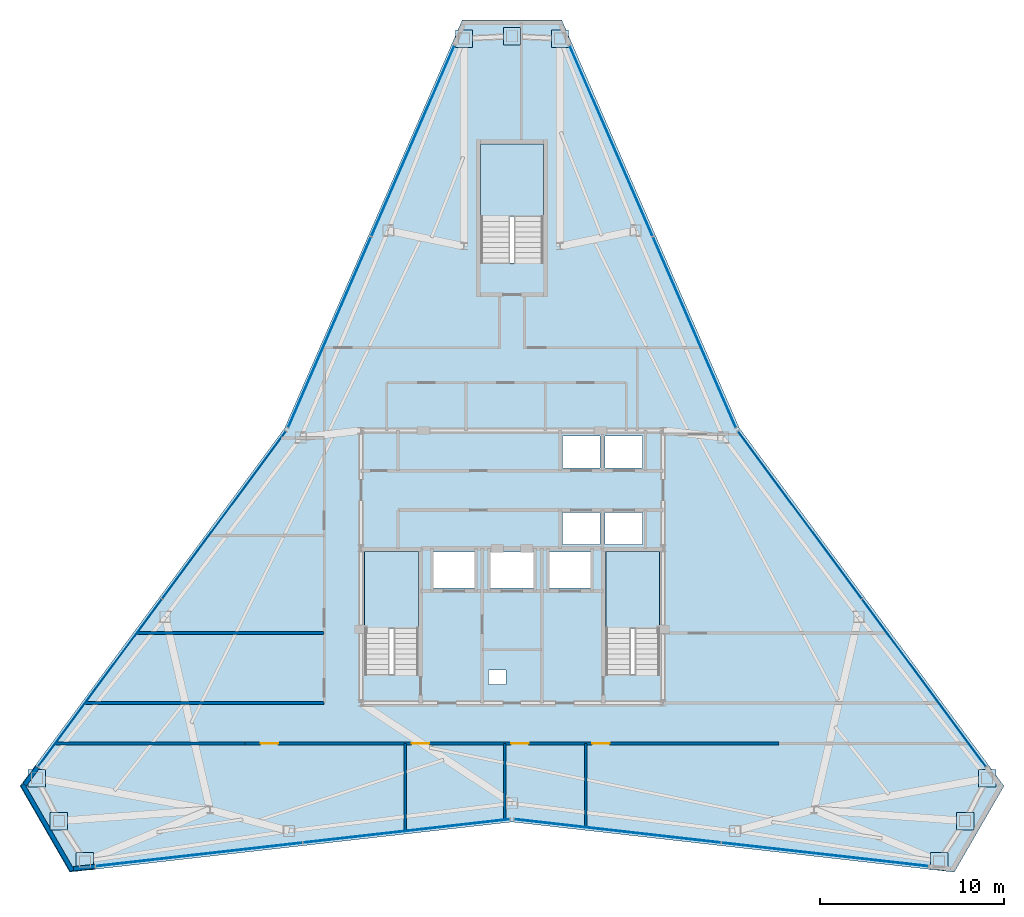
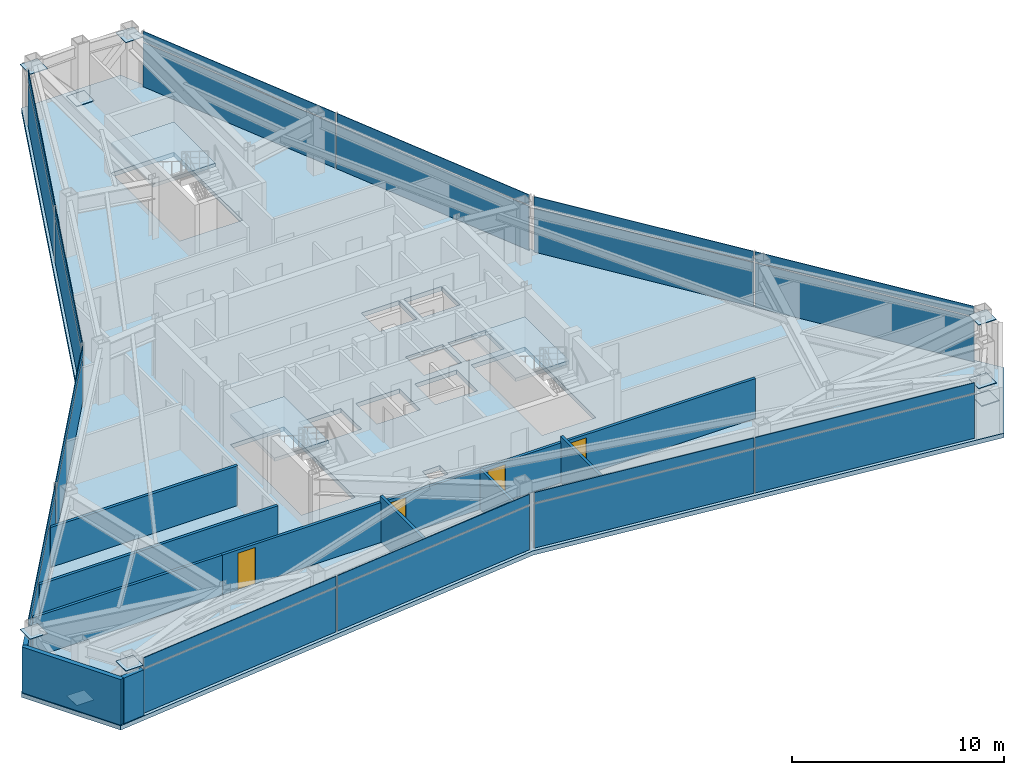
# One storey, part 8 of 11: 33 plates, 10 walls, 4 doors, 4 slabs, 4 openings, 9 elements without a shape of their own.
"""IFC4 building model written with IfcOpenShell, lengths in metres."""

from ifc_helpers import new_model, si_unit, direction, frame, frame_2d, origin, origin_2d, place, context, subcontext, project, spatial, polyline, rectangle, outline, extrude, source, transform, mapped, material, layer, layer_set, type_object, type_shapes, element, fill, aggregate, save


model = new_model("IFC4")

# Units and contexts
model_context = context("Model", 3, precision=1e-05, world=origin(), true_north=direction((0.0, 1.0)))
body_context = subcontext(model_context, "Body", "Model", "MODEL_VIEW")
ifc_project = project(units=[si_unit("LENGTHUNIT", "METRE"), si_unit("AREAUNIT", "SQUARE_METRE"), si_unit("VOLUMEUNIT", "CUBIC_METRE"), si_unit("PLANEANGLEUNIT", "RADIAN"), si_unit("MASSUNIT", "GRAM", prefix="KILO")], contexts=[model_context])

# Site, building, storey
site_placement = place(None, origin())
site = spatial("IfcSite", under=ifc_project, at=site_placement, CompositionType="ELEMENT")
building_placement = place(site_placement, origin())
building = spatial("IfcBuilding", under=site, at=building_placement, Name="Varakhsha Concourse Tower", CompositionType="ELEMENT")
storey_placement = place(building_placement, frame((0.0, 0.0, 279.5)))
storey = spatial("IfcBuildingStorey", under=building, at=storey_placement, Name="L79", CompositionType="ELEMENT", Elevation=279.5)

# Slab
ifc_material_1 = material(Name="Concrete fc 45 MPa", Category="concrete")
ifc_layer_1 = layer(ifc_material_1, 0.25, Name="SL-FLR-250")
ifc_layer_set_1 = layer_set([ifc_layer_1], Name="Concrete fc 45 MPa")
slab_type_1 = type_object("IfcSlabType", Name="SL-FLR-250", PredefinedType="FLOOR", material=ifc_layer_set_1)
slab_1_placement = place(storey_placement, frame((0.0, 0.0, -0.25)))
element("IfcSlab", 1, at=slab_1_placement, inside=storey, type_object=slab_type_1, Name="L79 Composite Structural Slab", PredefinedType="FLOOR", context=body_context, shape_type="SweptSolid", body=[
    extrude(outline(polyline([(42.699951171875, 53.496826171875), (37.300048828125, 53.496826171875), (27.651611328125, 31.329345703125), (13.2783203125, 11.889892578125), (15.978271484375, 7.21337890625), (40.0, 9.94140625), (64.021728515625, 7.21337890625), (66.7216796875, 11.889892578125), (52.348388671875, 31.329345703125), (42.699951171875, 53.496826171875)]), holes=[polyline([(34.919921875, 17.93994140625), (34.919921875, 24.6298828125), (32.0, 24.6298828125), (32.0, 17.93994140625), (34.919921875, 17.93994140625)]), polyline([(48.02001953125, 17.93994140625), (48.02001953125, 24.6298828125), (45.10009765625, 24.6298828125), (45.10009765625, 17.93994140625), (48.02001953125, 17.93994140625)]), polyline([(41.699951171875, 40.300048828125), (41.699951171875, 46.75), (38.300048828125, 46.75), (38.300048828125, 40.300048828125), (41.699951171875, 40.300048828125)]), polyline([(42.739990234375, 29.159912109375), (44.780029296875, 29.159912109375), (44.780029296875, 30.89990234375), (42.739990234375, 30.89990234375), (42.739990234375, 29.159912109375)]), polyline([(45.06005859375, 29.159912109375), (47.10009765625, 29.159912109375), (47.10009765625, 30.89990234375), (45.06005859375, 30.89990234375), (45.06005859375, 29.159912109375)]), polyline([(42.739990234375, 25.0), (44.780029296875, 25.0), (44.780029296875, 26.739990234375), (42.739990234375, 26.739990234375), (42.739990234375, 25.0)]), polyline([(45.06005859375, 25.0), (47.10009765625, 25.0), (47.10009765625, 26.739990234375), (45.06005859375, 26.739990234375), (45.06005859375, 25.0)]), polyline([(35.7099609375, 22.639892578125), (37.989990234375, 22.639892578125), (37.989990234375, 24.60009765625), (35.7099609375, 24.60009765625), (35.7099609375, 22.639892578125)]), polyline([(42.010009765625, 22.639892578125), (44.2900390625, 22.639892578125), (44.2900390625, 24.60009765625), (42.010009765625, 24.60009765625), (42.010009765625, 22.639892578125)]), polyline([(38.81005859375, 22.639892578125), (41.18994140625, 22.639892578125), (41.18994140625, 24.60009765625), (38.81005859375, 24.60009765625), (38.81005859375, 22.639892578125)]), polyline([(38.719970703125, 17.39990234375), (39.679931640625, 17.39990234375), (39.679931640625, 18.199951171875), (38.719970703125, 18.199951171875), (38.719970703125, 17.39990234375)])]), origin(), (0.0, 0.0, 1.0), 0.25),
])

# Stair, slab
stair_type_1 = type_object("IfcStairType", Name="ST-DOGLEG-1360", PredefinedType="HALF_TURN_STAIR", material=ifc_material_1)
stair_1_placement = place(storey_placement, origin())
stair_1 = element("IfcStair", 2, at=stair_1_placement, inside=storey, type_object=stair_type_1, Name="L79 Protected Exit Stair ST1", PredefinedType="HALF_TURN_STAIR")
ifc_layer_2 = layer(ifc_material_1, 0.199951171875, Name="SL-LAND-200")
ifc_layer_set_2 = layer_set([ifc_layer_2], Name="Concrete fc 45 MPa")
slab_type_2 = type_object("IfcSlabType", Name="SL-LAND-200", PredefinedType="LANDING", material=ifc_layer_set_2)
slab_2_placement = place(storey_placement, frame((0.0, 0.0, 1.550048828125)))
slab_2 = element("IfcSlab", 3, at=slab_2_placement, type_object=slab_type_2, Name="ST1 landing 1", PredefinedType="LANDING", context=body_context, shape_type="SweptSolid", body=[
    extrude(outline(polyline([(34.919921875, 20.4599609375), (34.919921875, 24.6298828125), (32.0, 24.6298828125), (32.0, 20.4599609375), (34.919921875, 20.4599609375)])), origin(), (0.0, 0.0, 1.0), 0.199951171875),
])
aggregate(stair_1, [slab_2])

stair_2_placement = place(storey_placement, origin())
stair_2 = element("IfcStair", 4, at=stair_2_placement, inside=storey, type_object=stair_type_1, Name="L79 Protected Exit Stair ST2", PredefinedType="HALF_TURN_STAIR")
slab_3_placement = place(storey_placement, frame((0.0, 0.0, 1.550048828125)))
slab_3 = element("IfcSlab", 5, at=slab_3_placement, type_object=slab_type_2, Name="ST2 landing 1", PredefinedType="LANDING", context=body_context, shape_type="SweptSolid", body=[
    extrude(outline(polyline([(48.02001953125, 20.4599609375), (48.02001953125, 24.6298828125), (45.10009765625, 24.6298828125), (45.10009765625, 20.4599609375), (48.02001953125, 20.4599609375)])), origin(), (0.0, 0.0, 1.0), 0.199951171875),
])
aggregate(stair_2, [slab_3])

stair_type_2 = type_object("IfcStairType", Name="ST-DOGLEG-1600", PredefinedType="HALF_TURN_STAIR", material=ifc_material_1)
stair_3_placement = place(storey_placement, origin())
stair_3 = element("IfcStair", 6, at=stair_3_placement, inside=storey, type_object=stair_type_2, Name="L79 Protected Exit Stair ST5", PredefinedType="HALF_TURN_STAIR")
slab_4_placement = place(storey_placement, frame((0.0, 0.0, 1.550048828125)))
slab_4 = element("IfcSlab", 7, at=slab_4_placement, type_object=slab_type_2, Name="ST5 landing 1", PredefinedType="LANDING", context=body_context, shape_type="SweptSolid", body=[
    extrude(outline(polyline([(41.699951171875, 42.820068359375), (41.699951171875, 46.75), (38.300048828125, 46.75), (38.300048828125, 42.820068359375), (41.699951171875, 42.820068359375)])), origin(), (0.0, 0.0, 1.0), 0.199951171875),
])
aggregate(stair_3, [slab_4])

# Plates
ifc_material_2 = material(Name="Structural Steel ASTM A572 Grade 50", Category="steel")
ifc_layer_3 = layer(ifc_material_2, 0.030029296875, Name="PL-ENDCAP-950")
ifc_layer_set_3 = layer_set([ifc_layer_3], Name="Structural Steel ASTM A572 Grade 50")
plate_type_1 = type_object("IfcPlateType", Name="PL-ENDCAP-950", PredefinedType="USERDEFINED", material=ifc_layer_set_3)
shared_shape_1 = source(origin(), body_context, "Body", "SweptSolid", [
    extrude(rectangle(XDim=0.949951171875, YDim=0.949951171875, at=origin_2d()), origin(), (0.0, 0.0, 1.0), 0.030029296875),
])
type_shapes(plate_type_1, [shared_shape_1])
for number, where, z_axis, x_axis, name in (
    (8, (40.0, 52.61669921875, 0.10498046875), (0.0, 0.0, 1.0), (1.0, 0.0, 0.0), "Hollow Section End Cap GP-NODE-L79-0838"),
    (9, (42.607177734375, 52.489013671875, 2.93505859375), (0.0, 0.0, 1.0), (1.0, 0.0, 0.0), "Hollow Section End Cap GP-NODE-L79-0839"),
    (10, (37.392822265625, 52.489013671875, 2.93505859375), (0.0, 0.0, 1.0), (1.0, 0.0, 0.0), "Hollow Section End Cap GP-NODE-L79-0840"),
    (11, (15.390380859375, 9.99169921875, 0.10498046875), (0.0, 0.0, 1.0), (1.0, 0.0, 0.0), "Hollow Section End Cap GP-NODE-L79-0841"),
    (12, (14.197509765625, 12.313232421875, 2.93505859375), (0.0, 0.0, 1.0), (1.0, 0.0, 0.0), "Hollow Section End Cap GP-NODE-L79-0842"),
    (13, (16.8046875, 7.797607421875, 2.93505859375), (0.0, 0.0, 1.0), (1.0, 0.0, 0.0), "Hollow Section End Cap GP-NODE-L79-0843"),
    (14, (64.609619140625, 9.99169921875, 0.10498046875), (0.0, 0.0, 1.0), (1.0, 0.0, 0.0), "Hollow Section End Cap GP-NODE-L79-0844"),
    (15, (63.1953125, 7.797607421875, 2.93505859375), (0.0, 0.0, 1.0), (1.0, 0.0, 0.0), "Hollow Section End Cap GP-NODE-L79-0845"),
    (16, (65.802490234375, 12.313232421875, 2.93505859375), (0.0, 0.0, 1.0), (1.0, 0.0, 0.0), "Hollow Section End Cap GP-NODE-L79-0846"),
):
    element("IfcPlate", number, at=place(storey_placement, frame(where, z_axis=z_axis, x_axis=x_axis)), inside=storey, type_object=plate_type_1, Name=name, ObjectType="END PLATE", PredefinedType="USERDEFINED", context=body_context, shape_type="MappedRepresentation", body=[
        mapped(shared_shape_1, transform((0.0, 0.0, 0.0), scale=1.0)),
    ])

# Curtain wall, plates
ifc_material_3 = material(Name="Anodised Bronze Architectural Aluminium AA 6063-T6", Category="aluminium")
ifc_layer_4 = layer(ifc_material_3, 0.199951171875, Name="CW-SYS-05")
ifc_layer_set_4 = layer_set([ifc_layer_4], Name="Anodised Bronze Architectural Aluminium AA 6063-T6")
curtain_wall_type = type_object("IfcCurtainWallType", Name="CW-SYS-05", PredefinedType="NOTDEFINED", material=ifc_layer_set_4)
curtain_wall_1_placement = place(storey_placement, origin())
curtain_wall_1 = element("IfcCurtainWall", 17, at=curtain_wall_1_placement, inside=storey, type_object=curtain_wall_type, Name="L79 Crystal Curtain Wall F2", PredefinedType="NOTDEFINED")
ifc_material_4 = material(Name="Low-E Triple Insulating Glass IGU 44 mm", Category="glass")
ifc_layer_5 = layer(ifc_material_4, 0.0439453125, Name="CWP-IGU-44")
ifc_layer_set_5 = layer_set([ifc_layer_5], Name="Low-E Triple Insulating Glass IGU 44 mm")
plate_type_2 = type_object("IfcPlateType", Name="CWP-IGU-44", PredefinedType="CURTAIN_PANEL", material=ifc_layer_set_5)
shared_shape_2 = source(origin(), body_context, "Body", "SweptSolid", [
    extrude(rectangle(XDim=11.26904296875, YDim=0.0439453125, at=origin_2d()), origin(), (0.0, 0.0, 1.0), 2.535888671875),
])
type_shapes(plate_type_2, [shared_shape_2])
plate_1_placement = place(storey_placement, frame((30.0927734375, 36.536865234375, 0.0322265625), z_axis=(0.0, 0.0, 1.0), x_axis=(0.39908356189, 0.916914560158, 0.0)))
plate_1 = element("IfcPlate", 18, at=plate_1_placement, type_object=plate_type_2, Name="CW-L79-F2 Panel 00-00", PredefinedType="CURTAIN_PANEL", context=body_context, shape_type="MappedRepresentation", body=[
    mapped(shared_shape_2, transform((0.0, 0.0, 0.0), scale=1.0)),
])
plate_2_placement = place(storey_placement, frame((34.61767578125, 46.932861328125, 0.0322265625), z_axis=(0.0, 0.0, 1.0), x_axis=(0.39908356189, 0.916914560158, 0.0)))
plate_2 = element("IfcPlate", 19, at=plate_2_placement, type_object=plate_type_2, Name="CW-L79-F2 Panel 01-00", PredefinedType="CURTAIN_PANEL", context=body_context, shape_type="MappedRepresentation", body=[
    mapped(shared_shape_2, transform((0.0, 0.0, 0.0), scale=1.0)),
])

curtain_wall_2_placement = place(storey_placement, origin())
curtain_wall_2 = element("IfcCurtainWall", 20, at=curtain_wall_2_placement, inside=storey, type_object=curtain_wall_type, Name="L79 Crystal Curtain Wall F3", PredefinedType="NOTDEFINED")
plate_3_placement = place(storey_placement, frame((17.62158203125, 17.494873046875, 0.0322265625), z_axis=(0.0, 0.0, 1.0), x_axis=(0.594533731364, 0.804070669948, 0.0)))
plate_3 = element("IfcPlate", 21, at=plate_3_placement, type_object=plate_type_2, Name="CW-L79-F3 Panel 00-00", PredefinedType="CURTAIN_PANEL", context=body_context, shape_type="MappedRepresentation", body=[
    mapped(shared_shape_2, transform((0.0, 0.0, 0.0), scale=1.0)),
])
plate_4_placement = place(storey_placement, frame((24.3623046875, 26.611572265625, 0.0322265625), z_axis=(0.0, 0.0, 1.0), x_axis=(0.594533731364, 0.804070669948, 0.0)))
plate_4 = element("IfcPlate", 22, at=plate_4_placement, type_object=plate_type_2, Name="CW-L79-F3 Panel 01-00", PredefinedType="CURTAIN_PANEL", context=body_context, shape_type="MappedRepresentation", body=[
    mapped(shared_shape_2, transform((0.0, 0.0, 0.0), scale=1.0)),
])

curtain_wall_3_placement = place(storey_placement, origin())
curtain_wall_3 = element("IfcCurtainWall", 23, at=curtain_wall_3_placement, inside=storey, type_object=curtain_wall_type, Name="L79 Crystal Curtain Wall F5", PredefinedType="NOTDEFINED")
plate_5_placement = place(storey_placement, frame((34.269775390625, 9.45166015625, 0.0322265625), z_axis=(0.0, 0.0, 1.0), x_axis=(-0.993612689247, -0.112844245613, 0.0)))
plate_5 = element("IfcPlate", 24, at=plate_5_placement, type_object=plate_type_2, Name="CW-L79-F5 Panel 00-00", PredefinedType="CURTAIN_PANEL", context=body_context, shape_type="MappedRepresentation", body=[
    mapped(shared_shape_2, transform((0.0, 0.0, 0.0), scale=1.0)),
])
plate_6_placement = place(storey_placement, frame((23.00390625, 8.172119140625, 0.0322265625), z_axis=(0.0, 0.0, 1.0), x_axis=(-0.993612689247, -0.112844245613, 0.0)))
plate_6 = element("IfcPlate", 25, at=plate_6_placement, type_object=plate_type_2, Name="CW-L79-F5 Panel 01-00", PredefinedType="CURTAIN_PANEL", context=body_context, shape_type="MappedRepresentation", body=[
    mapped(shared_shape_2, transform((0.0, 0.0, 0.0), scale=1.0)),
])

curtain_wall_4_placement = place(storey_placement, origin())
curtain_wall_4 = element("IfcCurtainWall", 26, at=curtain_wall_4_placement, inside=storey, type_object=curtain_wall_type, Name="L79 Crystal Curtain Wall F6", PredefinedType="NOTDEFINED")
plate_7_placement = place(storey_placement, frame((56.99609375, 8.172119140625, 0.0322265625), z_axis=(0.0, 0.0, 1.0), x_axis=(-0.993612689247, 0.112844245613, 0.0)))
plate_7 = element("IfcPlate", 27, at=plate_7_placement, type_object=plate_type_2, Name="CW-L79-F6 Panel 00-00", PredefinedType="CURTAIN_PANEL", context=body_context, shape_type="MappedRepresentation", body=[
    mapped(shared_shape_2, transform((0.0, 0.0, 0.0), scale=1.0)),
])
plate_8_placement = place(storey_placement, frame((45.73046875, 9.45166015625, 0.0322265625), z_axis=(0.0, 0.0, 1.0), x_axis=(-0.993612689247, 0.112844245613, 0.0)))
plate_8 = element("IfcPlate", 28, at=plate_8_placement, type_object=plate_type_2, Name="CW-L79-F6 Panel 01-00", PredefinedType="CURTAIN_PANEL", context=body_context, shape_type="MappedRepresentation", body=[
    mapped(shared_shape_2, transform((0.0, 0.0, 0.0), scale=1.0)),
])

curtain_wall_5_placement = place(storey_placement, origin())
curtain_wall_5 = element("IfcCurtainWall", 29, at=curtain_wall_5_placement, inside=storey, type_object=curtain_wall_type, Name="L79 Crystal Curtain Wall F8", PredefinedType="NOTDEFINED")
plate_9_placement = place(storey_placement, frame((55.6376953125, 26.611572265625, 0.0322265625), z_axis=(0.0, 0.0, 1.0), x_axis=(0.594533731364, -0.804070669948, 0.0)))
plate_9 = element("IfcPlate", 30, at=plate_9_placement, type_object=plate_type_2, Name="CW-L79-F8 Panel 00-00", PredefinedType="CURTAIN_PANEL", context=body_context, shape_type="MappedRepresentation", body=[
    mapped(shared_shape_2, transform((0.0, 0.0, 0.0), scale=1.0)),
])
plate_10_placement = place(storey_placement, frame((62.37841796875, 17.494873046875, 0.0322265625), z_axis=(0.0, 0.0, 1.0), x_axis=(0.594533731364, -0.804070669948, 0.0)))
plate_10 = element("IfcPlate", 31, at=plate_10_placement, type_object=plate_type_2, Name="CW-L79-F8 Panel 01-00", PredefinedType="CURTAIN_PANEL", context=body_context, shape_type="MappedRepresentation", body=[
    mapped(shared_shape_2, transform((0.0, 0.0, 0.0), scale=1.0)),
])

curtain_wall_6_placement = place(storey_placement, origin())
curtain_wall_6 = element("IfcCurtainWall", 32, at=curtain_wall_6_placement, inside=storey, type_object=curtain_wall_type, Name="L79 Crystal Curtain Wall F9", PredefinedType="NOTDEFINED")
plate_11_placement = place(storey_placement, frame((45.38232421875, 46.932861328125, 0.0322265625), z_axis=(0.0, 0.0, 1.0), x_axis=(0.39908356189, -0.916914560158, 0.0)))
plate_11 = element("IfcPlate", 33, at=plate_11_placement, type_object=plate_type_2, Name="CW-L79-F9 Panel 00-00", PredefinedType="CURTAIN_PANEL", context=body_context, shape_type="MappedRepresentation", body=[
    mapped(shared_shape_2, transform((0.0, 0.0, 0.0), scale=1.0)),
])
plate_12_placement = place(storey_placement, frame((49.9072265625, 36.536865234375, 0.0322265625), z_axis=(0.0, 0.0, 1.0), x_axis=(0.39908356189, -0.916914560158, 0.0)))
plate_12 = element("IfcPlate", 34, at=plate_12_placement, type_object=plate_type_2, Name="CW-L79-F9 Panel 01-00", PredefinedType="CURTAIN_PANEL", context=body_context, shape_type="MappedRepresentation", body=[
    mapped(shared_shape_2, transform((0.0, 0.0, 0.0), scale=1.0)),
])

# Plate
ifc_material_5 = material(Name="Insulated Anodised Bronze Aluminium Spandrel 36 mm", Category="aluminium")
ifc_layer_6 = layer(ifc_material_5, 0.035888671875, Name="CWP-SPN-36")
ifc_layer_set_6 = layer_set([ifc_layer_6], Name="Insulated Anodised Bronze Aluminium Spandrel 36 mm")
plate_type_3 = type_object("IfcPlateType", Name="CWP-SPN-36", PredefinedType="USERDEFINED", material=ifc_layer_set_6)
shared_shape_3 = source(origin(), body_context, "Body", "SweptSolid", [
    extrude(rectangle(XDim=11.26904296875, YDim=0.035888671875, at=origin_2d()), origin(), (0.0, 0.0, 1.0), 0.5859375),
])
type_shapes(plate_type_3, [shared_shape_3])
plate_13_placement = place(storey_placement, frame((30.0927734375, 36.536865234375, 2.632080078125), z_axis=(0.0, 0.0, 1.0), x_axis=(0.39908356189, 0.916914560158, 0.0)))
plate_13 = element("IfcPlate", 35, at=plate_13_placement, type_object=plate_type_3, Name="CW-L79-F2 Panel 00-01", ObjectType="SPANDREL", PredefinedType="USERDEFINED", context=body_context, shape_type="MappedRepresentation", body=[
    mapped(shared_shape_3, transform((0.0, 0.0, 0.0), scale=1.0)),
])

plate_14_placement = place(storey_placement, frame((34.61767578125, 46.932861328125, 2.632080078125), z_axis=(0.0, 0.0, 1.0), x_axis=(0.39908356189, 0.916914560158, 0.0)))
plate_14 = element("IfcPlate", 36, at=plate_14_placement, type_object=plate_type_3, Name="CW-L79-F2 Panel 01-01", ObjectType="SPANDREL", PredefinedType="USERDEFINED", context=body_context, shape_type="MappedRepresentation", body=[
    mapped(shared_shape_3, transform((0.0, 0.0, 0.0), scale=1.0)),
])

aggregate(curtain_wall_1, [plate_1, plate_13, plate_2, plate_14])

plate_15_placement = place(storey_placement, frame((17.62158203125, 17.494873046875, 2.632080078125), z_axis=(0.0, 0.0, 1.0), x_axis=(0.594533731364, 0.804070669948, 0.0)))
plate_15 = element("IfcPlate", 37, at=plate_15_placement, type_object=plate_type_3, Name="CW-L79-F3 Panel 00-01", ObjectType="SPANDREL", PredefinedType="USERDEFINED", context=body_context, shape_type="MappedRepresentation", body=[
    mapped(shared_shape_3, transform((0.0, 0.0, 0.0), scale=1.0)),
])

plate_16_placement = place(storey_placement, frame((24.3623046875, 26.611572265625, 2.632080078125), z_axis=(0.0, 0.0, 1.0), x_axis=(0.594533731364, 0.804070669948, 0.0)))
plate_16 = element("IfcPlate", 38, at=plate_16_placement, type_object=plate_type_3, Name="CW-L79-F3 Panel 01-01", ObjectType="SPANDREL", PredefinedType="USERDEFINED", context=body_context, shape_type="MappedRepresentation", body=[
    mapped(shared_shape_3, transform((0.0, 0.0, 0.0), scale=1.0)),
])

aggregate(curtain_wall_2, [plate_3, plate_15, plate_4, plate_16])

plate_17_placement = place(storey_placement, frame((34.269775390625, 9.45166015625, 2.632080078125), z_axis=(0.0, 0.0, 1.0), x_axis=(-0.993612689247, -0.112844245613, 0.0)))
plate_17 = element("IfcPlate", 39, at=plate_17_placement, type_object=plate_type_3, Name="CW-L79-F5 Panel 00-01", ObjectType="SPANDREL", PredefinedType="USERDEFINED", context=body_context, shape_type="MappedRepresentation", body=[
    mapped(shared_shape_3, transform((0.0, 0.0, 0.0), scale=1.0)),
])

plate_18_placement = place(storey_placement, frame((23.00390625, 8.172119140625, 2.632080078125), z_axis=(0.0, 0.0, 1.0), x_axis=(-0.993612689247, -0.112844245613, 0.0)))
plate_18 = element("IfcPlate", 40, at=plate_18_placement, type_object=plate_type_3, Name="CW-L79-F5 Panel 01-01", ObjectType="SPANDREL", PredefinedType="USERDEFINED", context=body_context, shape_type="MappedRepresentation", body=[
    mapped(shared_shape_3, transform((0.0, 0.0, 0.0), scale=1.0)),
])

aggregate(curtain_wall_3, [plate_5, plate_17, plate_6, plate_18])

plate_19_placement = place(storey_placement, frame((56.99609375, 8.172119140625, 2.632080078125), z_axis=(0.0, 0.0, 1.0), x_axis=(-0.993612689247, 0.112844245613, 0.0)))
plate_19 = element("IfcPlate", 41, at=plate_19_placement, type_object=plate_type_3, Name="CW-L79-F6 Panel 00-01", ObjectType="SPANDREL", PredefinedType="USERDEFINED", context=body_context, shape_type="MappedRepresentation", body=[
    mapped(shared_shape_3, transform((0.0, 0.0, 0.0), scale=1.0)),
])

plate_20_placement = place(storey_placement, frame((45.73046875, 9.45166015625, 2.632080078125), z_axis=(0.0, 0.0, 1.0), x_axis=(-0.993612689247, 0.112844245613, 0.0)))
plate_20 = element("IfcPlate", 42, at=plate_20_placement, type_object=plate_type_3, Name="CW-L79-F6 Panel 01-01", ObjectType="SPANDREL", PredefinedType="USERDEFINED", context=body_context, shape_type="MappedRepresentation", body=[
    mapped(shared_shape_3, transform((0.0, 0.0, 0.0), scale=1.0)),
])

aggregate(curtain_wall_4, [plate_7, plate_19, plate_8, plate_20])

plate_21_placement = place(storey_placement, frame((55.6376953125, 26.611572265625, 2.632080078125), z_axis=(0.0, 0.0, 1.0), x_axis=(0.594533731364, -0.804070669948, 0.0)))
plate_21 = element("IfcPlate", 43, at=plate_21_placement, type_object=plate_type_3, Name="CW-L79-F8 Panel 00-01", ObjectType="SPANDREL", PredefinedType="USERDEFINED", context=body_context, shape_type="MappedRepresentation", body=[
    mapped(shared_shape_3, transform((0.0, 0.0, 0.0), scale=1.0)),
])

plate_22_placement = place(storey_placement, frame((62.37841796875, 17.494873046875, 2.632080078125), z_axis=(0.0, 0.0, 1.0), x_axis=(0.594533731364, -0.804070669948, 0.0)))
plate_22 = element("IfcPlate", 44, at=plate_22_placement, type_object=plate_type_3, Name="CW-L79-F8 Panel 01-01", ObjectType="SPANDREL", PredefinedType="USERDEFINED", context=body_context, shape_type="MappedRepresentation", body=[
    mapped(shared_shape_3, transform((0.0, 0.0, 0.0), scale=1.0)),
])

aggregate(curtain_wall_5, [plate_9, plate_21, plate_10, plate_22])

plate_23_placement = place(storey_placement, frame((45.38232421875, 46.932861328125, 2.632080078125), z_axis=(0.0, 0.0, 1.0), x_axis=(0.39908356189, -0.916914560158, 0.0)))
plate_23 = element("IfcPlate", 45, at=plate_23_placement, type_object=plate_type_3, Name="CW-L79-F9 Panel 00-01", ObjectType="SPANDREL", PredefinedType="USERDEFINED", context=body_context, shape_type="MappedRepresentation", body=[
    mapped(shared_shape_3, transform((0.0, 0.0, 0.0), scale=1.0)),
])

plate_24_placement = place(storey_placement, frame((49.9072265625, 36.536865234375, 2.632080078125), z_axis=(0.0, 0.0, 1.0), x_axis=(0.39908356189, -0.916914560158, 0.0)))
plate_24 = element("IfcPlate", 46, at=plate_24_placement, type_object=plate_type_3, Name="CW-L79-F9 Panel 01-01", ObjectType="SPANDREL", PredefinedType="USERDEFINED", context=body_context, shape_type="MappedRepresentation", body=[
    mapped(shared_shape_3, transform((0.0, 0.0, 0.0), scale=1.0)),
])

aggregate(curtain_wall_6, [plate_11, plate_23, plate_12, plate_24])

# Walls
ifc_layer_7 = layer(ifc_material_1, 0.239990234375, Name="WL-EXT-CRN-240")
ifc_layer_set_7 = layer_set([ifc_layer_7], Name="Concrete fc 45 MPa")
wall_type_1 = type_object("IfcWallType", Name="WL-EXT-CRN-240", PredefinedType="SHEAR", material=ifc_layer_set_7)
wall_1_placement = place(storey_placement, frame((14.231689453125, 12.910400390625, 0.0), z_axis=(0.0, 0.0, 1.0), x_axis=(-0.594532170537, -0.804071824029, 0.0)))
element("IfcWall", 47, at=wall_1_placement, inside=storey, type_object=wall_type_1, Name="L79 Wind-Corner Shoulder Wall F3", PredefinedType="SHEAR", context=body_context, shape_type="SweptSolid", body=[
    extrude(rectangle(XDim=1.16748046875, YDim=0.239990234375, at=frame_2d((0.583740234375, 0.0))), origin(), (0.0, 0.0, 1.0), 2.623046875),
])
wall_2_placement = place(storey_placement, frame((16.116943359375, 7.293212890625, 0.0), z_axis=(0.0, 0.0, 1.0), x_axis=(-0.49997552693, 0.866039532857, 0.0)))
element("IfcWall", 48, at=wall_2_placement, inside=storey, type_object=wall_type_1, Name="L79 Chamfer Wind-Corner Insulated Wall F4", PredefinedType="SHEAR", context=body_context, shape_type="SweptSolid", body=[
    extrude(rectangle(XDim=5.400146484375, YDim=0.239990234375, at=frame_2d((2.7001953125, 0.0))), origin(), (0.0, 0.0, 1.0), 2.623046875),
])
wall_3_placement = place(storey_placement, frame((16.1787109375, 7.397216796875, 0.0), z_axis=(0.0, 0.0, 1.0), x_axis=(0.993628691443, 0.112703254353, 0.0)))
element("IfcWall", 49, at=wall_3_placement, inside=storey, type_object=wall_type_1, Name="L79 Wind-Corner Shoulder Wall F5", PredefinedType="SHEAR", context=body_context, shape_type="SweptSolid", body=[
    extrude(rectangle(XDim=1.16748046875, YDim=0.239990234375, at=frame_2d((0.583740234375, 0.0))), origin(), (0.0, 0.0, 1.0), 2.623046875),
])
ifc_material_6 = material(Name="Fire-Rated Type X Gypsum Partition Assembly", Category="gypsum")
ifc_layer_8 = layer(ifc_material_6, 0.14990234375, Name="WL-PART-150")
ifc_layer_set_8 = layer_set([ifc_layer_8], Name="Fire-Rated Type X Gypsum Partition Assembly")
wall_type_2 = type_object("IfcWallType", Name="WL-PART-150", PredefinedType="PARTITIONING", material=ifc_layer_set_8)
wall_4_placement = place(storey_placement, frame((15.191650390625, 14.199951171875, 0.0), z_axis=(0.0, 0.0, 1.0), x_axis=(1.0, 0.0, 0.0)))
element("IfcWall", 50, at=wall_4_placement, inside=storey, type_object=wall_type_2, Name="L79 Wall CRW-SGAL-SW-L79", PredefinedType="PARTITIONING", context=body_context, shape_type="SweptSolid", body=[
    extrude(rectangle(XDim=10.308349609375, YDim=0.14990234375, at=frame_2d((5.154296875, 0.0))), origin(), (0.0, 0.0, 1.0), 2.2919921875),
])
wall_5_placement = place(storey_placement, frame((16.818359375, 16.39990234375, 0.0), z_axis=(0.0, 0.0, 1.0), x_axis=(1.0, 0.0, 0.0)))
element("IfcWall", 51, at=wall_5_placement, inside=storey, type_object=wall_type_2, Name="L79 Wall CRW-SGAL-NW-L79", PredefinedType="PARTITIONING", context=body_context, shape_type="SweptSolid", body=[
    extrude(rectangle(XDim=12.981689453125, YDim=0.14990234375, at=frame_2d((6.49072265625, 0.0))), origin(), (0.0, 0.0, 1.0), 2.2919921875),
])

# Wall, openings, doors
wall_6_placement = place(storey_placement, frame((25.5, 14.199951171875, 0.0), z_axis=(0.0, 0.0, 1.0), x_axis=(1.0, 0.0, 0.0)))
wall_6 = element("IfcWall", 52, at=wall_6_placement, inside=storey, type_object=wall_type_2, Name="L79 Wall CRW-S-DOOR-L79", PredefinedType="PARTITIONING", context=body_context, shape_type="SweptSolid", body=[
    extrude(rectangle(XDim=29.0, YDim=0.14990234375, at=frame_2d((14.5, 0.0))), origin(), (0.0, 0.0, 1.0), 2.2919921875),
])
opening_1_placement = place(wall_6_placement, frame((0.85009765625, 0.0, 0.0)))
opening_1 = element("IfcOpeningElement", 53, at=opening_1_placement, cuts=wall_6, Name="Opening DF-05", PredefinedType="OPENING", context=body_context, shape_type="SweptSolid", body=[
    extrude(rectangle(XDim=0.949951171875, YDim=2.10009765625, at=frame_2d((0.47509765625, 1.050048828125))), frame((0.0, 0.0849609375, 0.0), z_axis=(0.0, -1.0, 0.0), x_axis=(1.0, 0.0, 0.0)), (0.0, 0.0, 1.0), 0.169921875),
])
opening_2_placement = place(wall_6_placement, frame((9.050048828125, 0.0, 0.0)))
opening_2 = element("IfcOpeningElement", 54, at=opening_2_placement, cuts=wall_6, Name="Opening DF-05", PredefinedType="OPENING", context=body_context, shape_type="SweptSolid", body=[
    extrude(rectangle(XDim=0.949951171875, YDim=2.10009765625, at=frame_2d((0.47509765625, 1.050048828125))), frame((0.0, 0.0849609375, 0.0), z_axis=(0.0, -1.0, 0.0), x_axis=(1.0, 0.0, 0.0)), (0.0, 0.0, 1.0), 0.169921875),
])
opening_3_placement = place(wall_6_placement, frame((14.449951171875, 0.0, 0.0)))
opening_3 = element("IfcOpeningElement", 55, at=opening_3_placement, cuts=wall_6, Name="Opening DF-05", PredefinedType="OPENING", context=body_context, shape_type="SweptSolid", body=[
    extrude(rectangle(XDim=0.949951171875, YDim=2.10009765625, at=frame_2d((0.47509765625, 1.050048828125))), frame((0.0, 0.0849609375, 0.0), z_axis=(0.0, -1.0, 0.0), x_axis=(1.0, 0.0, 0.0)), (0.0, 0.0, 1.0), 0.169921875),
])
opening_4_placement = place(wall_6_placement, frame((18.85009765625, 0.0, 0.0)))
opening_4 = element("IfcOpeningElement", 56, at=opening_4_placement, cuts=wall_6, Name="Opening DF-05", PredefinedType="OPENING", context=body_context, shape_type="SweptSolid", body=[
    extrude(rectangle(XDim=0.949951171875, YDim=2.10009765625, at=frame_2d((0.47509765625, 1.050048828125))), frame((0.0, 0.0849609375, 0.0), z_axis=(0.0, -1.0, 0.0), x_axis=(1.0, 0.0, 0.0)), (0.0, 0.0, 1.0), 0.169921875),
])
ifc_material_7 = material(Name="Hollow Galvanised Steel Fire Door Assembly", Category="steel")
door_type = type_object("IfcDoorType", Name="DR-FD60-950", OperationType="NOTDEFINED", PredefinedType="DOOR", material=ifc_material_7)
door_1_placement = place(opening_1_placement, origin())
door_1 = element("IfcDoor", 57, at=door_1_placement, inside=storey, type_object=door_type, Name="L79 Grand Corner Boardroom L79-S1 Door", OperationType="SINGLE_SWING_LEFT", OverallHeight=2.10009765625, OverallWidth=0.949951171875, PredefinedType="DOOR", context=body_context, shape_type="SweptSolid", body=[
    extrude(rectangle(XDim=0.949951171875, YDim=2.10009765625, at=frame_2d((0.47509765625, 1.050048828125))), frame((0.0, 0.02490234375, 0.0), z_axis=(0.0, -1.0, 0.0), x_axis=(1.0, 0.0, 0.0)), (0.0, 0.0, 1.0), 0.050048828125),
])
fill(opening_1, door_1)
door_2_placement = place(opening_2_placement, origin())
door_2 = element("IfcDoor", 58, at=door_2_placement, inside=storey, type_object=door_type, Name="L79 Executive Director Suite L79-S2 Door", OperationType="SINGLE_SWING_RIGHT", OverallHeight=2.10009765625, OverallWidth=0.949951171875, PredefinedType="DOOR", context=body_context, shape_type="SweptSolid", body=[
    extrude(rectangle(XDim=0.949951171875, YDim=2.10009765625, at=frame_2d((0.47509765625, 1.050048828125))), frame((0.0, 0.02490234375, 0.0), z_axis=(0.0, -1.0, 0.0), x_axis=(1.0, 0.0, 0.0)), (0.0, 0.0, 1.0), 0.050048828125),
])
fill(opening_2, door_2)
door_3_placement = place(opening_3_placement, origin())
door_3 = element("IfcDoor", 59, at=door_3_placement, inside=storey, type_object=door_type, Name="L79 Executive Director Suite L79-S3 Door", OperationType="SINGLE_SWING_LEFT", OverallHeight=2.10009765625, OverallWidth=0.949951171875, PredefinedType="DOOR", context=body_context, shape_type="SweptSolid", body=[
    extrude(rectangle(XDim=0.949951171875, YDim=2.10009765625, at=frame_2d((0.47509765625, 1.050048828125))), frame((0.0, 0.02490234375, 0.0), z_axis=(0.0, -1.0, 0.0), x_axis=(1.0, 0.0, 0.0)), (0.0, 0.0, 1.0), 0.050048828125),
])
fill(opening_3, door_3)
door_4_placement = place(opening_4_placement, origin())
door_4 = element("IfcDoor", 60, at=door_4_placement, inside=storey, type_object=door_type, Name="L79 Executive Director Suite L79-S4 Door", OperationType="SINGLE_SWING_RIGHT", OverallHeight=2.10009765625, OverallWidth=0.949951171875, PredefinedType="DOOR", context=body_context, shape_type="SweptSolid", body=[
    extrude(rectangle(XDim=0.949951171875, YDim=2.10009765625, at=frame_2d((0.47509765625, 1.050048828125))), frame((0.0, 0.02490234375, 0.0), z_axis=(0.0, -1.0, 0.0), x_axis=(1.0, 0.0, 0.0)), (0.0, 0.0, 1.0), 0.050048828125),
])
fill(opening_4, door_4)

# Walls
wall_7_placement = place(storey_placement, frame((34.199951171875, 9.44873046875, 0.0), z_axis=(0.0, 0.0, 1.0), x_axis=(0.0, 1.0, 0.0)))
element("IfcWall", 61, at=wall_7_placement, inside=storey, type_object=wall_type_2, Name="L79 Wall ODIV-S1-L79", PredefinedType="PARTITIONING", context=body_context, shape_type="SweptSolid", body=[
    extrude(rectangle(XDim=4.751220703125, YDim=0.14990234375, at=frame_2d((2.37548828125, 0.0))), origin(), (0.0, 0.0, 1.0), 2.6279296875),
])
wall_8_placement = place(storey_placement, frame((39.60009765625, 10.06201171875, 0.0), z_axis=(0.0, 0.0, 1.0), x_axis=(0.0, 1.0, 0.0)))
element("IfcWall", 62, at=wall_8_placement, inside=storey, type_object=wall_type_2, Name="L79 Wall ODIV-S2-L79", PredefinedType="PARTITIONING", context=body_context, shape_type="SweptSolid", body=[
    extrude(rectangle(XDim=4.137939453125, YDim=0.14990234375, at=frame_2d((2.06884765625, 0.0))), origin(), (0.0, 0.0, 1.0), 2.2919921875),
])
wall_9_placement = place(storey_placement, frame((44.0, 9.6533203125, 0.0), z_axis=(0.0, 0.0, 1.0), x_axis=(0.0, 1.0, 0.0)))
element("IfcWall", 63, at=wall_9_placement, inside=storey, type_object=wall_type_2, Name="L79 Wall ODIV-S3-L79", PredefinedType="PARTITIONING", context=body_context, shape_type="SweptSolid", body=[
    extrude(rectangle(XDim=4.546630859375, YDim=0.14990234375, at=frame_2d((2.2734375, 0.0))), origin(), (0.0, 0.0, 1.0), 2.6279296875),
])
wall_10_placement = place(storey_placement, frame((19.6279296875, 20.199951171875, 0.0), z_axis=(0.0, 0.0, 1.0), x_axis=(1.0, 0.0, 0.0)))
element("IfcWall", 64, at=wall_10_placement, inside=storey, type_object=wall_type_2, Name="L79 Wall ODIV-W1-L79", PredefinedType="PARTITIONING", context=body_context, shape_type="SweptSolid", body=[
    extrude(rectangle(XDim=10.172119140625, YDim=0.14990234375, at=frame_2d((5.0859375, 0.0))), origin(), (0.0, 0.0, 1.0), 2.2919921875),
])

save(model, "model.ifc")
